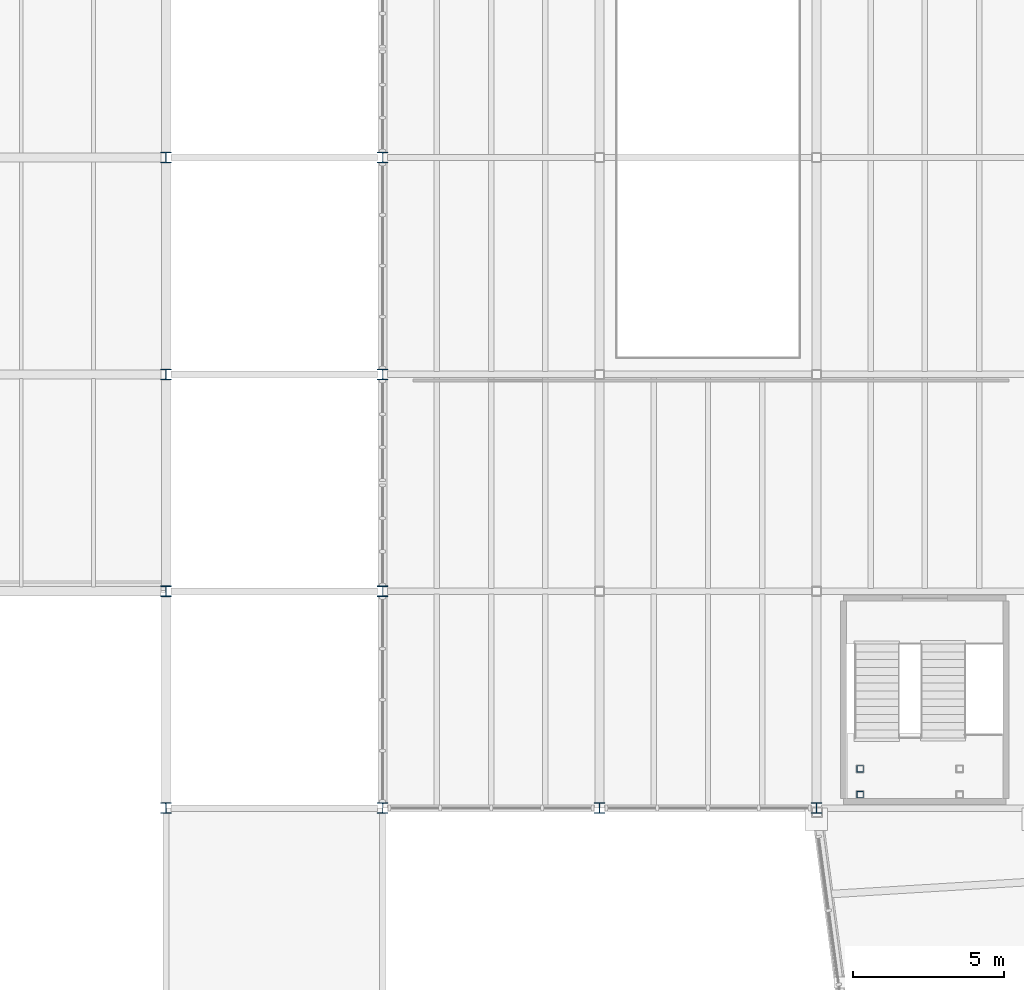
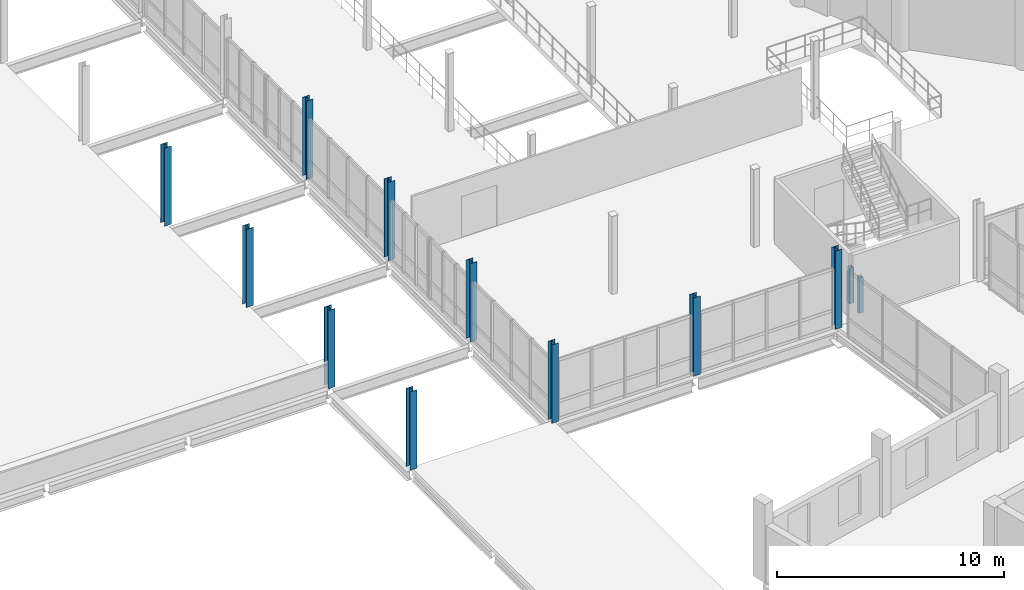
# One storey, part 2 of 72: 12 columns.
"""IFC4 building model written with IfcOpenShell, lengths in metres."""

from ifc_helpers import new_model, si_unit, direction, frame, origin, origin_2d, place, context, subcontext, project, spatial, hollow_rectangle, i_section, extrude, material, material_profile, profile_set, type_object, element, save


model = new_model("IFC4")

# Units and contexts
model_context = context("Model", 3, precision=1e-05, world=origin(), true_north=direction((0.0, 1.0)))
body_context = subcontext(model_context, "Body", "Model", "MODEL_VIEW")
ifc_project = project(units=[si_unit("LENGTHUNIT", "METRE"), si_unit("AREAUNIT", "SQUARE_METRE"), si_unit("VOLUMEUNIT", "CUBIC_METRE"), si_unit("PLANEANGLEUNIT", "RADIAN"), si_unit("MASSUNIT", "GRAM", prefix="KILO")], contexts=[model_context])

# Site, building, storey
site_placement = place(None, origin())
site = spatial("IfcSite", under=ifc_project, at=site_placement, CompositionType="ELEMENT")
building_placement = place(site_placement, origin())
building = spatial("IfcBuilding", under=site, at=building_placement, Name="Qiaolan Assembly House", CompositionType="ELEMENT")
storey_placement = place(building_placement, frame((0.0, 0.0, 10.199951171875)))
storey = spatial("IfcBuildingStorey", under=building, at=storey_placement, Name="L02", CompositionType="ELEMENT", Elevation=10.199951171875)

# Columns
ifc_material = material(Name="Steel Q355B", Category="steel")
ifc_material_profile_1 = material_profile(ifc_material, i_section(OverallWidth=0.35009765625, OverallDepth=0.35009765625, WebThickness=0.011962890625, FlangeThickness=0.01904296875, FilletRadius=0.02001953125, at=origin_2d()), Name="HW 350x350x12x19")
ifc_profile_set_1 = profile_set([ifc_material_profile_1], Name="Steel Q355B")
column_type_1 = type_object("IfcColumnType", Name="COL-STL-HW350", PredefinedType="COLUMN", material=ifc_profile_set_1)
for number, where, z_axis, x_axis, name in (
    (1, (21.60009765625, 36.0, 0.0), (0.0, 0.0, 1.0), (1.0, 0.0, 0.0), "SC-02 hall column L02"),
    (2, (21.60009765625, 43.199951171875, 0.0), (0.0, 0.0, 1.0), (1.0, 0.0, 0.0), "SC-02 hall column L02"),
    (3, (21.60009765625, 50.39990234375, 0.0), (0.0, 0.0, 1.0), (1.0, 0.0, 0.0), "SC-02 hall column L02"),
    (4, (21.60009765625, 57.60009765625, 0.0), (0.0, 0.0, 1.0), (1.0, 0.0, 0.0), "SC-02 hall column L02"),
    (5, (28.800048828125, 36.0, 0.0), (0.0, 0.0, 1.0), (1.0, 0.0, 0.0), "SC-02 hall column L02"),
    (6, (28.800048828125, 43.199951171875, 0.0), (0.0, 0.0, 1.0), (1.0, 0.0, 0.0), "SC-02 hall column L02"),
    (7, (28.800048828125, 50.39990234375, 0.0), (0.0, 0.0, 1.0), (1.0, 0.0, 0.0), "SC-02 hall column L02"),
    (8, (28.800048828125, 57.60009765625, 0.0), (0.0, 0.0, 1.0), (1.0, 0.0, 0.0), "SC-02 hall column L02"),
    (9, (36.0, 36.0, 0.0), (0.0, 0.0, 1.0), (1.0, 0.0, 0.0), "SC-02 hall column L02"),
    (10, (43.199951171875, 36.0, 0.0), (0.0, 0.0, 1.0), (1.0, 0.0, 0.0), "SC-02 hall column L02"),
):
    element("IfcColumn", number, at=place(storey_placement, frame(where, z_axis=z_axis, x_axis=x_axis)), inside=storey, type_object=column_type_1, Name=name, PredefinedType="COLUMN", context=body_context, shape_type="SweptSolid", body=[
        extrude(i_section(OverallWidth=0.35009765625, OverallDepth=0.35009765625, WebThickness=0.011962890625, FlangeThickness=0.01904296875, FilletRadius=0.02001953125, at=origin_2d()), origin(), (0.0, 0.0, 1.0), 4.199951171875),
    ])
ifc_material_profile_2 = material_profile(ifc_material, hollow_rectangle(XDim=0.219970703125, YDim=0.219970703125, WallThickness=0.010009765625, InnerFilletRadius=0.010009765625, OuterFilletRadius=0.02001953125, at=origin_2d()), Name="SHS 220x220x10")
ifc_profile_set_2 = profile_set([ifc_material_profile_2], Name="Steel Q355B")
column_type_2 = type_object("IfcColumnType", Name="COL-STL-SHS220", PredefinedType="COLUMN", material=ifc_profile_set_2)
for number, where, z_axis, x_axis, name in (
    (11, (44.64990234375, 36.449951171875, 0.0), (0.0, 0.0, 1.0), (1.0, 0.0, 0.0), "SC-08 foyer stair L02 column F1-1"),
    (12, (44.64990234375, 37.300048828125, 0.0), (0.0, 0.0, 1.0), (1.0, 0.0, 0.0), "SC-08 foyer stair L02 column F1-3"),
):
    element("IfcColumn", number, at=place(storey_placement, frame(where, z_axis=z_axis, x_axis=x_axis)), inside=storey, type_object=column_type_2, Name=name, PredefinedType="COLUMN", context=body_context, shape_type="SweptSolid", body=[
        extrude(hollow_rectangle(XDim=0.219970703125, YDim=0.219970703125, WallThickness=0.010009765625, InnerFilletRadius=0.010009765625, OuterFilletRadius=0.02001953125, at=origin_2d()), origin(), (0.0, 0.0, 1.0), 1.920166015625),
    ])

save(model, "model.ifc")
